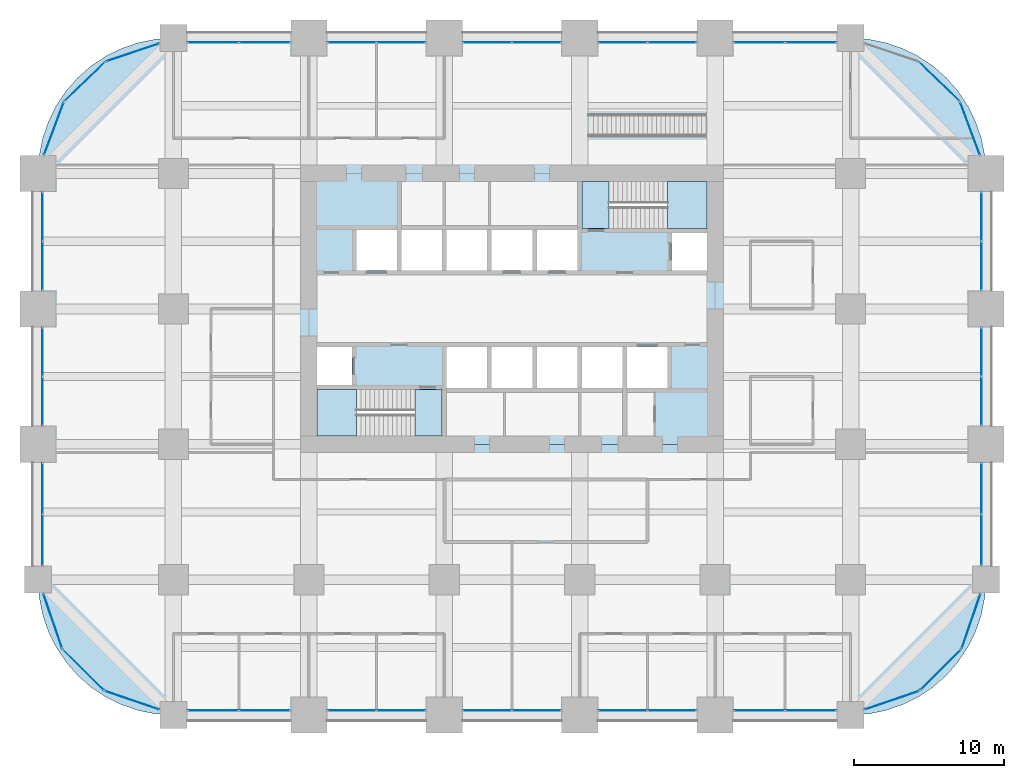
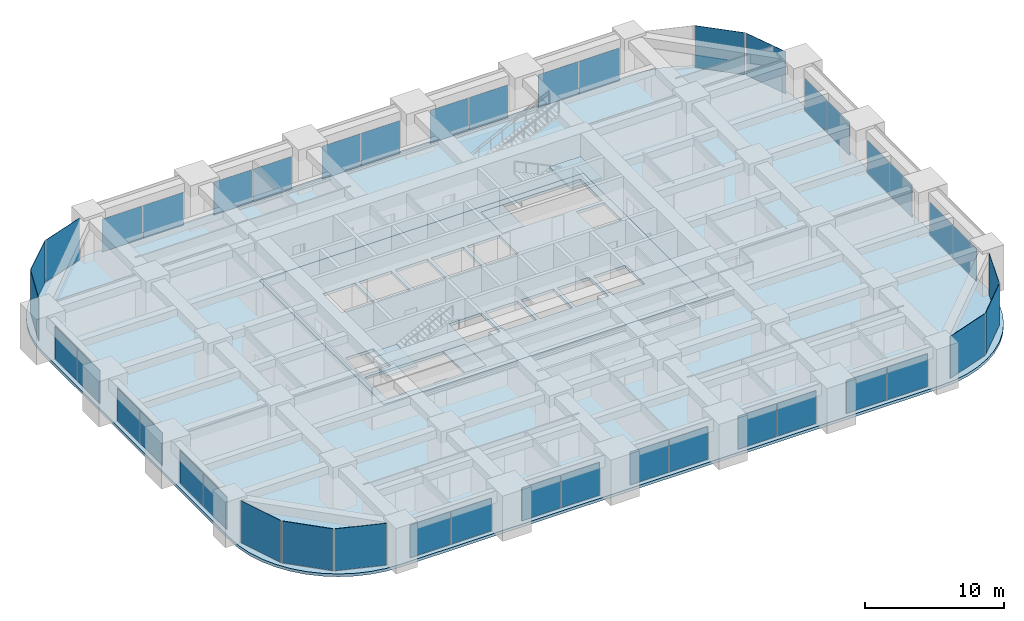
# One storey, part 35 of 41: 43 plates, 6 slabs, 29 elements without a shape of their own.
"""IFC4 building model written with IfcOpenShell, lengths in metres."""

from ifc_helpers import new_model, si_unit, direction, frame, origin, origin_2d, place, context, subcontext, project, spatial, polyline, rectangle, outline, extrude, material, layer, layer_set, type_object, element, aggregate, save


model = new_model("IFC4")

# Units and contexts
model_context = context("Model", 3, precision=1e-05, world=origin(), true_north=direction((0.0, 1.0)))
body_context = subcontext(model_context, "Body", "Model", "MODEL_VIEW")
ifc_project = project(units=[si_unit("LENGTHUNIT", "METRE"), si_unit("AREAUNIT", "SQUARE_METRE"), si_unit("VOLUMEUNIT", "CUBIC_METRE"), si_unit("PLANEANGLEUNIT", "RADIAN"), si_unit("MASSUNIT", "GRAM", prefix="KILO")], contexts=[model_context])

# Site, building, storey
site_placement = place(None, origin())
site = spatial("IfcSite", under=ifc_project, at=site_placement, CompositionType="ELEMENT")
building_placement = place(site_placement, origin())
building = spatial("IfcBuilding", under=site, at=building_placement, Name="Zorevar Civic Tower", CompositionType="ELEMENT")
storey_placement = place(building_placement, frame((0.0, 0.0, 97.0)))
storey = spatial("IfcBuildingStorey", under=building, at=storey_placement, Name="L23", CompositionType="ELEMENT", Elevation=97.0)

# Curtain wall, plates
ifc_material_1 = material(Name="Dark grey solar-control glass in black aluminium frame", Category="aluminium")
curtain_wall_type = type_object("IfcCurtainWallType", Name="Curtain wall CW3 mid zone", PredefinedType="NOTDEFINED", material=ifc_material_1)
curtain_wall_1_placement = place(storey_placement, origin())
curtain_wall_1 = element("IfcCurtainWall", 1, at=curtain_wall_1_placement, inside=storey, type_object=curtain_wall_type, Name="CW3 L23", PredefinedType="NOTDEFINED")
ifc_material_2 = material(Name="Dark grey solar-control glass", Category="glass")
ifc_layer_1 = layer(ifc_material_2, 0.030029296875)
ifc_layer_set_1 = layer_set([ifc_layer_1], Name="CW3 panel 30")
plate_type = type_object("IfcPlateType", Name="CW3 panel 30", PredefinedType="CURTAIN_PANEL", material=ifc_layer_set_1)
plate_1_placement = place(storey_placement, frame((11.639892578125, 0.300048828125, 0.06005859375), z_axis=(0.0, 0.0, 1.0), x_axis=(1.0, 0.0, 0.0)))
plate_1 = element("IfcPlate", 2, at=plate_1_placement, type_object=plate_type, Name="CW3 panel 1.1", PredefinedType="CURTAIN_PANEL", context=body_context, shape_type="SweptSolid", body=[
    extrude(rectangle(XDim=3.360107421875, YDim=0.030029296875, at=origin_2d()), origin(), (0.0, 0.0, 1.0), 2.889892578125),
])
plate_2_placement = place(storey_placement, frame((15.06005859375, 0.300048828125, 0.06005859375), z_axis=(0.0, 0.0, 1.0), x_axis=(1.0, 0.0, 0.0)))
plate_2 = element("IfcPlate", 3, at=plate_2_placement, type_object=plate_type, Name="CW3 panel 2.1", PredefinedType="CURTAIN_PANEL", context=body_context, shape_type="SweptSolid", body=[
    extrude(rectangle(XDim=3.360107421875, YDim=0.030029296875, at=origin_2d()), origin(), (0.0, 0.0, 1.0), 2.889892578125),
])
aggregate(curtain_wall_1, [plate_1, plate_2])

curtain_wall_2_placement = place(storey_placement, origin())
curtain_wall_2 = element("IfcCurtainWall", 4, at=curtain_wall_2_placement, inside=storey, type_object=curtain_wall_type, Name="CW3 L23", PredefinedType="NOTDEFINED")
plate_3_placement = place(storey_placement, frame((11.639892578125, 44.699951171875, 0.06005859375), z_axis=(0.0, 0.0, 1.0), x_axis=(1.0, 0.0, 0.0)))
plate_3 = element("IfcPlate", 5, at=plate_3_placement, type_object=plate_type, Name="CW3 panel 1.1", PredefinedType="CURTAIN_PANEL", context=body_context, shape_type="SweptSolid", body=[
    extrude(rectangle(XDim=3.360107421875, YDim=0.030029296875, at=origin_2d()), origin(), (0.0, 0.0, 1.0), 2.889892578125),
])
plate_4_placement = place(storey_placement, frame((15.06005859375, 44.699951171875, 0.06005859375), z_axis=(0.0, 0.0, 1.0), x_axis=(1.0, 0.0, 0.0)))
plate_4 = element("IfcPlate", 6, at=plate_4_placement, type_object=plate_type, Name="CW3 panel 2.1", PredefinedType="CURTAIN_PANEL", context=body_context, shape_type="SweptSolid", body=[
    extrude(rectangle(XDim=3.360107421875, YDim=0.030029296875, at=origin_2d()), origin(), (0.0, 0.0, 1.0), 2.889892578125),
])
aggregate(curtain_wall_2, [plate_3, plate_4])

curtain_wall_3_placement = place(storey_placement, origin())
curtain_wall_3 = element("IfcCurtainWall", 7, at=curtain_wall_3_placement, inside=storey, type_object=curtain_wall_type, Name="CW3 L23", PredefinedType="NOTDEFINED")
plate_5_placement = place(storey_placement, frame((20.864990234375, 0.300048828125, 0.06005859375), z_axis=(0.0, 0.0, 1.0), x_axis=(1.0, 0.0, 0.0)))
plate_5 = element("IfcPlate", 8, at=plate_5_placement, type_object=plate_type, Name="CW3 panel 1.1", PredefinedType="CURTAIN_PANEL", context=body_context, shape_type="SweptSolid", body=[
    extrude(rectangle(XDim=3.2099609375, YDim=0.030029296875, at=origin_2d()), origin(), (0.0, 0.0, 1.0), 2.889892578125),
])
plate_6_placement = place(storey_placement, frame((24.135009765625, 0.300048828125, 0.06005859375), z_axis=(0.0, 0.0, 1.0), x_axis=(1.0, 0.0, 0.0)))
plate_6 = element("IfcPlate", 9, at=plate_6_placement, type_object=plate_type, Name="CW3 panel 2.1", PredefinedType="CURTAIN_PANEL", context=body_context, shape_type="SweptSolid", body=[
    extrude(rectangle(XDim=3.2099609375, YDim=0.030029296875, at=origin_2d()), origin(), (0.0, 0.0, 1.0), 2.889892578125),
])
aggregate(curtain_wall_3, [plate_5, plate_6])

curtain_wall_4_placement = place(storey_placement, origin())
curtain_wall_4 = element("IfcCurtainWall", 10, at=curtain_wall_4_placement, inside=storey, type_object=curtain_wall_type, Name="CW3 L23", PredefinedType="NOTDEFINED")
plate_7_placement = place(storey_placement, frame((20.864990234375, 44.699951171875, 0.06005859375), z_axis=(0.0, 0.0, 1.0), x_axis=(1.0, 0.0, 0.0)))
plate_7 = element("IfcPlate", 11, at=plate_7_placement, type_object=plate_type, Name="CW3 panel 1.1", PredefinedType="CURTAIN_PANEL", context=body_context, shape_type="SweptSolid", body=[
    extrude(rectangle(XDim=3.2099609375, YDim=0.030029296875, at=origin_2d()), origin(), (0.0, 0.0, 1.0), 2.889892578125),
])
plate_8_placement = place(storey_placement, frame((24.135009765625, 44.699951171875, 0.06005859375), z_axis=(0.0, 0.0, 1.0), x_axis=(1.0, 0.0, 0.0)))
plate_8 = element("IfcPlate", 12, at=plate_8_placement, type_object=plate_type, Name="CW3 panel 2.1", PredefinedType="CURTAIN_PANEL", context=body_context, shape_type="SweptSolid", body=[
    extrude(rectangle(XDim=3.2099609375, YDim=0.030029296875, at=origin_2d()), origin(), (0.0, 0.0, 1.0), 2.889892578125),
])
aggregate(curtain_wall_4, [plate_7, plate_8])

curtain_wall_5_placement = place(storey_placement, origin())
curtain_wall_5 = element("IfcCurtainWall", 13, at=curtain_wall_5_placement, inside=storey, type_object=curtain_wall_type, Name="CW3 L23", PredefinedType="NOTDEFINED")
plate_9_placement = place(storey_placement, frame((29.864990234375, 0.300048828125, 0.06005859375), z_axis=(0.0, 0.0, 1.0), x_axis=(1.0, 0.0, 0.0)))
plate_9 = element("IfcPlate", 14, at=plate_9_placement, type_object=plate_type, Name="CW3 panel 1.1", PredefinedType="CURTAIN_PANEL", context=body_context, shape_type="SweptSolid", body=[
    extrude(rectangle(XDim=3.2099609375, YDim=0.030029296875, at=origin_2d()), origin(), (0.0, 0.0, 1.0), 2.889892578125),
])
plate_10_placement = place(storey_placement, frame((33.135009765625, 0.300048828125, 0.06005859375), z_axis=(0.0, 0.0, 1.0), x_axis=(1.0, 0.0, 0.0)))
plate_10 = element("IfcPlate", 15, at=plate_10_placement, type_object=plate_type, Name="CW3 panel 2.1", PredefinedType="CURTAIN_PANEL", context=body_context, shape_type="SweptSolid", body=[
    extrude(rectangle(XDim=3.2099609375, YDim=0.030029296875, at=origin_2d()), origin(), (0.0, 0.0, 1.0), 2.889892578125),
])
aggregate(curtain_wall_5, [plate_9, plate_10])

curtain_wall_6_placement = place(storey_placement, origin())
curtain_wall_6 = element("IfcCurtainWall", 16, at=curtain_wall_6_placement, inside=storey, type_object=curtain_wall_type, Name="CW3 L23", PredefinedType="NOTDEFINED")
plate_11_placement = place(storey_placement, frame((29.864990234375, 44.699951171875, 0.06005859375), z_axis=(0.0, 0.0, 1.0), x_axis=(1.0, 0.0, 0.0)))
plate_11 = element("IfcPlate", 17, at=plate_11_placement, type_object=plate_type, Name="CW3 panel 1.1", PredefinedType="CURTAIN_PANEL", context=body_context, shape_type="SweptSolid", body=[
    extrude(rectangle(XDim=3.2099609375, YDim=0.030029296875, at=origin_2d()), origin(), (0.0, 0.0, 1.0), 2.889892578125),
])
plate_12_placement = place(storey_placement, frame((33.135009765625, 44.699951171875, 0.06005859375), z_axis=(0.0, 0.0, 1.0), x_axis=(1.0, 0.0, 0.0)))
plate_12 = element("IfcPlate", 18, at=plate_12_placement, type_object=plate_type, Name="CW3 panel 2.1", PredefinedType="CURTAIN_PANEL", context=body_context, shape_type="SweptSolid", body=[
    extrude(rectangle(XDim=3.2099609375, YDim=0.030029296875, at=origin_2d()), origin(), (0.0, 0.0, 1.0), 2.889892578125),
])
aggregate(curtain_wall_6, [plate_11, plate_12])

curtain_wall_7_placement = place(storey_placement, origin())
curtain_wall_7 = element("IfcCurtainWall", 19, at=curtain_wall_7_placement, inside=storey, type_object=curtain_wall_type, Name="CW3 L23", PredefinedType="NOTDEFINED")
plate_13_placement = place(storey_placement, frame((38.864990234375, 0.300048828125, 0.06005859375), z_axis=(0.0, 0.0, 1.0), x_axis=(1.0, 0.0, 0.0)))
plate_13 = element("IfcPlate", 20, at=plate_13_placement, type_object=plate_type, Name="CW3 panel 1.1", PredefinedType="CURTAIN_PANEL", context=body_context, shape_type="SweptSolid", body=[
    extrude(rectangle(XDim=3.2099609375, YDim=0.030029296875, at=origin_2d()), origin(), (0.0, 0.0, 1.0), 2.889892578125),
])
plate_14_placement = place(storey_placement, frame((42.135009765625, 0.300048828125, 0.06005859375), z_axis=(0.0, 0.0, 1.0), x_axis=(1.0, 0.0, 0.0)))
plate_14 = element("IfcPlate", 21, at=plate_14_placement, type_object=plate_type, Name="CW3 panel 2.1", PredefinedType="CURTAIN_PANEL", context=body_context, shape_type="SweptSolid", body=[
    extrude(rectangle(XDim=3.2099609375, YDim=0.030029296875, at=origin_2d()), origin(), (0.0, 0.0, 1.0), 2.889892578125),
])
aggregate(curtain_wall_7, [plate_13, plate_14])

curtain_wall_8_placement = place(storey_placement, origin())
curtain_wall_8 = element("IfcCurtainWall", 22, at=curtain_wall_8_placement, inside=storey, type_object=curtain_wall_type, Name="CW3 L23", PredefinedType="NOTDEFINED")
plate_15_placement = place(storey_placement, frame((38.864990234375, 44.699951171875, 0.06005859375), z_axis=(0.0, 0.0, 1.0), x_axis=(1.0, 0.0, 0.0)))
plate_15 = element("IfcPlate", 23, at=plate_15_placement, type_object=plate_type, Name="CW3 panel 1.1", PredefinedType="CURTAIN_PANEL", context=body_context, shape_type="SweptSolid", body=[
    extrude(rectangle(XDim=3.2099609375, YDim=0.030029296875, at=origin_2d()), origin(), (0.0, 0.0, 1.0), 2.889892578125),
])
plate_16_placement = place(storey_placement, frame((42.135009765625, 44.699951171875, 0.06005859375), z_axis=(0.0, 0.0, 1.0), x_axis=(1.0, 0.0, 0.0)))
plate_16 = element("IfcPlate", 24, at=plate_16_placement, type_object=plate_type, Name="CW3 panel 2.1", PredefinedType="CURTAIN_PANEL", context=body_context, shape_type="SweptSolid", body=[
    extrude(rectangle(XDim=3.2099609375, YDim=0.030029296875, at=origin_2d()), origin(), (0.0, 0.0, 1.0), 2.889892578125),
])
aggregate(curtain_wall_8, [plate_15, plate_16])

curtain_wall_9_placement = place(storey_placement, origin())
curtain_wall_9 = element("IfcCurtainWall", 25, at=curtain_wall_9_placement, inside=storey, type_object=curtain_wall_type, Name="CW3 L23", PredefinedType="NOTDEFINED")
plate_17_placement = place(storey_placement, frame((47.93994140625, 0.300048828125, 0.06005859375), z_axis=(0.0, 0.0, 1.0), x_axis=(1.0, 0.0, 0.0)))
plate_17 = element("IfcPlate", 26, at=plate_17_placement, type_object=plate_type, Name="CW3 panel 1.1", PredefinedType="CURTAIN_PANEL", context=body_context, shape_type="SweptSolid", body=[
    extrude(rectangle(XDim=3.360107421875, YDim=0.030029296875, at=origin_2d()), origin(), (0.0, 0.0, 1.0), 2.889892578125),
])
plate_18_placement = place(storey_placement, frame((51.360107421875, 0.300048828125, 0.06005859375), z_axis=(0.0, 0.0, 1.0), x_axis=(1.0, 0.0, 0.0)))
plate_18 = element("IfcPlate", 27, at=plate_18_placement, type_object=plate_type, Name="CW3 panel 2.1", PredefinedType="CURTAIN_PANEL", context=body_context, shape_type="SweptSolid", body=[
    extrude(rectangle(XDim=3.360107421875, YDim=0.030029296875, at=origin_2d()), origin(), (0.0, 0.0, 1.0), 2.889892578125),
])
aggregate(curtain_wall_9, [plate_17, plate_18])

curtain_wall_10_placement = place(storey_placement, origin())
curtain_wall_10 = element("IfcCurtainWall", 28, at=curtain_wall_10_placement, inside=storey, type_object=curtain_wall_type, Name="CW3 L23", PredefinedType="NOTDEFINED")
plate_19_placement = place(storey_placement, frame((47.93994140625, 44.699951171875, 0.06005859375), z_axis=(0.0, 0.0, 1.0), x_axis=(1.0, 0.0, 0.0)))
plate_19 = element("IfcPlate", 29, at=plate_19_placement, type_object=plate_type, Name="CW3 panel 1.1", PredefinedType="CURTAIN_PANEL", context=body_context, shape_type="SweptSolid", body=[
    extrude(rectangle(XDim=3.360107421875, YDim=0.030029296875, at=origin_2d()), origin(), (0.0, 0.0, 1.0), 2.889892578125),
])
plate_20_placement = place(storey_placement, frame((51.360107421875, 44.699951171875, 0.06005859375), z_axis=(0.0, 0.0, 1.0), x_axis=(1.0, 0.0, 0.0)))
plate_20 = element("IfcPlate", 30, at=plate_20_placement, type_object=plate_type, Name="CW3 panel 2.1", PredefinedType="CURTAIN_PANEL", context=body_context, shape_type="SweptSolid", body=[
    extrude(rectangle(XDim=3.360107421875, YDim=0.030029296875, at=origin_2d()), origin(), (0.0, 0.0, 1.0), 2.889892578125),
])
aggregate(curtain_wall_10, [plate_19, plate_20])

curtain_wall_11_placement = place(storey_placement, origin())
curtain_wall_11 = element("IfcCurtainWall", 31, at=curtain_wall_11_placement, inside=storey, type_object=curtain_wall_type, Name="CW3 L23", PredefinedType="NOTDEFINED")
plate_21_placement = place(storey_placement, frame((0.300048828125, 11.639892578125, 0.06005859375), z_axis=(0.0, 0.0, 1.0), x_axis=(0.0, 1.0, 0.0)))
plate_21 = element("IfcPlate", 32, at=plate_21_placement, type_object=plate_type, Name="CW3 panel 1.1", PredefinedType="CURTAIN_PANEL", context=body_context, shape_type="SweptSolid", body=[
    extrude(rectangle(XDim=3.360107421875, YDim=0.030029296875, at=origin_2d()), origin(), (0.0, 0.0, 1.0), 2.889892578125),
])
plate_22_placement = place(storey_placement, frame((0.300048828125, 15.06005859375, 0.06005859375), z_axis=(0.0, 0.0, 1.0), x_axis=(0.0, 1.0, 0.0)))
plate_22 = element("IfcPlate", 33, at=plate_22_placement, type_object=plate_type, Name="CW3 panel 2.1", PredefinedType="CURTAIN_PANEL", context=body_context, shape_type="SweptSolid", body=[
    extrude(rectangle(XDim=3.360107421875, YDim=0.030029296875, at=origin_2d()), origin(), (0.0, 0.0, 1.0), 2.889892578125),
])
aggregate(curtain_wall_11, [plate_21, plate_22])

curtain_wall_12_placement = place(storey_placement, origin())
curtain_wall_12 = element("IfcCurtainWall", 34, at=curtain_wall_12_placement, inside=storey, type_object=curtain_wall_type, Name="CW3 L23", PredefinedType="NOTDEFINED")
plate_23_placement = place(storey_placement, frame((62.699951171875, 11.639892578125, 0.06005859375), z_axis=(0.0, 0.0, 1.0), x_axis=(0.0, 1.0, 0.0)))
plate_23 = element("IfcPlate", 35, at=plate_23_placement, type_object=plate_type, Name="CW3 panel 1.1", PredefinedType="CURTAIN_PANEL", context=body_context, shape_type="SweptSolid", body=[
    extrude(rectangle(XDim=3.360107421875, YDim=0.030029296875, at=origin_2d()), origin(), (0.0, 0.0, 1.0), 2.889892578125),
])
plate_24_placement = place(storey_placement, frame((62.699951171875, 15.06005859375, 0.06005859375), z_axis=(0.0, 0.0, 1.0), x_axis=(0.0, 1.0, 0.0)))
plate_24 = element("IfcPlate", 36, at=plate_24_placement, type_object=plate_type, Name="CW3 panel 2.1", PredefinedType="CURTAIN_PANEL", context=body_context, shape_type="SweptSolid", body=[
    extrude(rectangle(XDim=3.360107421875, YDim=0.030029296875, at=origin_2d()), origin(), (0.0, 0.0, 1.0), 2.889892578125),
])
aggregate(curtain_wall_12, [plate_23, plate_24])

curtain_wall_13_placement = place(storey_placement, origin())
curtain_wall_13 = element("IfcCurtainWall", 37, at=curtain_wall_13_placement, inside=storey, type_object=curtain_wall_type, Name="CW3 L23", PredefinedType="NOTDEFINED")
plate_25_placement = place(storey_placement, frame((0.300048828125, 20.864990234375, 0.06005859375), z_axis=(0.0, 0.0, 1.0), x_axis=(0.0, 1.0, 0.0)))
plate_25 = element("IfcPlate", 38, at=plate_25_placement, type_object=plate_type, Name="CW3 panel 1.1", PredefinedType="CURTAIN_PANEL", context=body_context, shape_type="SweptSolid", body=[
    extrude(rectangle(XDim=3.2099609375, YDim=0.030029296875, at=origin_2d()), origin(), (0.0, 0.0, 1.0), 2.889892578125),
])
plate_26_placement = place(storey_placement, frame((0.300048828125, 24.135009765625, 0.06005859375), z_axis=(0.0, 0.0, 1.0), x_axis=(0.0, 1.0, 0.0)))
plate_26 = element("IfcPlate", 39, at=plate_26_placement, type_object=plate_type, Name="CW3 panel 2.1", PredefinedType="CURTAIN_PANEL", context=body_context, shape_type="SweptSolid", body=[
    extrude(rectangle(XDim=3.2099609375, YDim=0.030029296875, at=origin_2d()), origin(), (0.0, 0.0, 1.0), 2.889892578125),
])
aggregate(curtain_wall_13, [plate_25, plate_26])

curtain_wall_14_placement = place(storey_placement, origin())
curtain_wall_14 = element("IfcCurtainWall", 40, at=curtain_wall_14_placement, inside=storey, type_object=curtain_wall_type, Name="CW3 L23", PredefinedType="NOTDEFINED")
plate_27_placement = place(storey_placement, frame((62.699951171875, 20.864990234375, 0.06005859375), z_axis=(0.0, 0.0, 1.0), x_axis=(0.0, 1.0, 0.0)))
plate_27 = element("IfcPlate", 41, at=plate_27_placement, type_object=plate_type, Name="CW3 panel 1.1", PredefinedType="CURTAIN_PANEL", context=body_context, shape_type="SweptSolid", body=[
    extrude(rectangle(XDim=3.2099609375, YDim=0.030029296875, at=origin_2d()), origin(), (0.0, 0.0, 1.0), 2.889892578125),
])
plate_28_placement = place(storey_placement, frame((62.699951171875, 24.135009765625, 0.06005859375), z_axis=(0.0, 0.0, 1.0), x_axis=(0.0, 1.0, 0.0)))
plate_28 = element("IfcPlate", 42, at=plate_28_placement, type_object=plate_type, Name="CW3 panel 2.1", PredefinedType="CURTAIN_PANEL", context=body_context, shape_type="SweptSolid", body=[
    extrude(rectangle(XDim=3.2099609375, YDim=0.030029296875, at=origin_2d()), origin(), (0.0, 0.0, 1.0), 2.889892578125),
])
aggregate(curtain_wall_14, [plate_27, plate_28])

curtain_wall_15_placement = place(storey_placement, origin())
curtain_wall_15 = element("IfcCurtainWall", 43, at=curtain_wall_15_placement, inside=storey, type_object=curtain_wall_type, Name="CW3 L23", PredefinedType="NOTDEFINED")
plate_29_placement = place(storey_placement, frame((0.300048828125, 29.864990234375, 0.06005859375), z_axis=(0.0, 0.0, 1.0), x_axis=(0.0, 1.0, 0.0)))
plate_29 = element("IfcPlate", 44, at=plate_29_placement, type_object=plate_type, Name="CW3 panel 1.1", PredefinedType="CURTAIN_PANEL", context=body_context, shape_type="SweptSolid", body=[
    extrude(rectangle(XDim=3.2099609375, YDim=0.030029296875, at=origin_2d()), origin(), (0.0, 0.0, 1.0), 2.889892578125),
])
plate_30_placement = place(storey_placement, frame((0.300048828125, 33.135009765625, 0.06005859375), z_axis=(0.0, 0.0, 1.0), x_axis=(0.0, 1.0, 0.0)))
plate_30 = element("IfcPlate", 45, at=plate_30_placement, type_object=plate_type, Name="CW3 panel 2.1", PredefinedType="CURTAIN_PANEL", context=body_context, shape_type="SweptSolid", body=[
    extrude(rectangle(XDim=3.2099609375, YDim=0.030029296875, at=origin_2d()), origin(), (0.0, 0.0, 1.0), 2.889892578125),
])
aggregate(curtain_wall_15, [plate_29, plate_30])

curtain_wall_16_placement = place(storey_placement, origin())
curtain_wall_16 = element("IfcCurtainWall", 46, at=curtain_wall_16_placement, inside=storey, type_object=curtain_wall_type, Name="CW3 L23", PredefinedType="NOTDEFINED")
plate_31_placement = place(storey_placement, frame((62.699951171875, 29.864990234375, 0.06005859375), z_axis=(0.0, 0.0, 1.0), x_axis=(0.0, 1.0, 0.0)))
plate_31 = element("IfcPlate", 47, at=plate_31_placement, type_object=plate_type, Name="CW3 panel 1.1", PredefinedType="CURTAIN_PANEL", context=body_context, shape_type="SweptSolid", body=[
    extrude(rectangle(XDim=3.2099609375, YDim=0.030029296875, at=origin_2d()), origin(), (0.0, 0.0, 1.0), 2.889892578125),
])
plate_32_placement = place(storey_placement, frame((62.699951171875, 33.135009765625, 0.06005859375), z_axis=(0.0, 0.0, 1.0), x_axis=(0.0, 1.0, 0.0)))
plate_32 = element("IfcPlate", 48, at=plate_32_placement, type_object=plate_type, Name="CW3 panel 2.1", PredefinedType="CURTAIN_PANEL", context=body_context, shape_type="SweptSolid", body=[
    extrude(rectangle(XDim=3.2099609375, YDim=0.030029296875, at=origin_2d()), origin(), (0.0, 0.0, 1.0), 2.889892578125),
])
aggregate(curtain_wall_16, [plate_31, plate_32])

# Curtain wall, plate
curtain_wall_17_placement = place(storey_placement, origin())
curtain_wall_17 = element("IfcCurtainWall", 49, at=curtain_wall_17_placement, inside=storey, type_object=curtain_wall_type, Name="CW3 L23", PredefinedType="NOTDEFINED")
plate_33_placement = place(storey_placement, frame((56.75390625, 0.9833984375, 0.06005859375), z_axis=(0.0, 0.0, 1.0), x_axis=(0.945755772794, 0.324878466857, 0.0)))
plate_33 = element("IfcPlate", 50, at=plate_33_placement, type_object=plate_type, Name="CW3 panel 1.1", PredefinedType="CURTAIN_PANEL", context=body_context, shape_type="SweptSolid", body=[
    extrude(rectangle(XDim=3.80029296875, YDim=0.030029296875, at=origin_2d()), origin(), (0.0, 0.0, 1.0), 3.68994140625),
])
aggregate(curtain_wall_17, [plate_33])

curtain_wall_18_placement = place(storey_placement, origin())
curtain_wall_18 = element("IfcCurtainWall", 51, at=curtain_wall_18_placement, inside=storey, type_object=curtain_wall_type, Name="CW3 L23", PredefinedType="NOTDEFINED")
plate_34_placement = place(storey_placement, frame((59.99365234375, 3.00634765625, 0.06005859375), z_axis=(0.0, 0.0, 1.0), x_axis=(0.707106781187, 0.707106781187, 0.0)))
plate_34 = element("IfcPlate", 52, at=plate_34_placement, type_object=plate_type, Name="CW3 panel 1.1", PredefinedType="CURTAIN_PANEL", context=body_context, shape_type="SweptSolid", body=[
    extrude(rectangle(XDim=3.80029296875, YDim=0.030029296875, at=origin_2d()), origin(), (0.0, 0.0, 1.0), 3.68994140625),
])
aggregate(curtain_wall_18, [plate_34])

curtain_wall_19_placement = place(storey_placement, origin())
curtain_wall_19 = element("IfcCurtainWall", 53, at=curtain_wall_19_placement, inside=storey, type_object=curtain_wall_type, Name="CW3 L23", PredefinedType="NOTDEFINED")
plate_35_placement = place(storey_placement, frame((62.0166015625, 6.24609375, 0.06005859375), z_axis=(0.0, 0.0, 1.0), x_axis=(0.324878466857, 0.945755772794, 0.0)))
plate_35 = element("IfcPlate", 54, at=plate_35_placement, type_object=plate_type, Name="CW3 panel 1.1", PredefinedType="CURTAIN_PANEL", context=body_context, shape_type="SweptSolid", body=[
    extrude(rectangle(XDim=3.80029296875, YDim=0.030029296875, at=origin_2d()), origin(), (0.0, 0.0, 1.0), 3.68994140625),
])
aggregate(curtain_wall_19, [plate_35])

curtain_wall_20_placement = place(storey_placement, origin())
curtain_wall_20 = element("IfcCurtainWall", 55, at=curtain_wall_20_placement, inside=storey, type_object=curtain_wall_type, Name="CW3 L23", PredefinedType="NOTDEFINED")
plate_36_placement = place(storey_placement, frame((61.94384765625, 38.988525390625, 0.06005859375), z_axis=(0.0, 0.0, 1.0), x_axis=(-0.352131520999, 0.935950528564, 0.0)))
plate_36 = element("IfcPlate", 56, at=plate_36_placement, type_object=plate_type, Name="CW3 panel 1.1", PredefinedType="CURTAIN_PANEL", context=body_context, shape_type="SweptSolid", body=[
    extrude(rectangle(XDim=3.7021484375, YDim=0.030029296875, at=origin_2d()), origin(), (0.0, 0.0, 1.0), 3.68994140625),
])
aggregate(curtain_wall_20, [plate_36])

curtain_wall_21_placement = place(storey_placement, origin())
curtain_wall_21 = element("IfcCurtainWall", 57, at=curtain_wall_21_placement, inside=storey, type_object=curtain_wall_type, Name="CW3 L23", PredefinedType="NOTDEFINED")
plate_37_placement = place(storey_placement, frame((59.896484375, 42.10498046875, 0.06005859375), z_axis=(0.0, 0.0, 1.0), x_axis=(-0.719281160023, 0.694719089155, 0.0)))
plate_37 = element("IfcPlate", 58, at=plate_37_placement, type_object=plate_type, Name="CW3 panel 1.1", PredefinedType="CURTAIN_PANEL", context=body_context, shape_type="SweptSolid", body=[
    extrude(rectangle(XDim=3.7021484375, YDim=0.030029296875, at=origin_2d()), origin(), (0.0, 0.0, 1.0), 3.68994140625),
])
aggregate(curtain_wall_21, [plate_37])

curtain_wall_22_placement = place(storey_placement, origin())
curtain_wall_22 = element("IfcCurtainWall", 59, at=curtain_wall_22_placement, inside=storey, type_object=curtain_wall_type, Name="CW3 L23", PredefinedType="NOTDEFINED")
plate_38_placement = place(storey_placement, frame((6.2890625, 44.04296875, 0.06005859375), z_axis=(0.0, 0.0, 1.0), x_axis=(-0.947615765406, -0.319412525043, 0.0)))
plate_38 = element("IfcPlate", 60, at=plate_38_placement, type_object=plate_type, Name="CW3 panel 1.1", PredefinedType="CURTAIN_PANEL", context=body_context, shape_type="SweptSolid", body=[
    extrude(rectangle(XDim=3.7021484375, YDim=0.030029296875, at=origin_2d()), origin(), (0.0, 0.0, 1.0), 3.68994140625),
])
aggregate(curtain_wall_22, [plate_38])

curtain_wall_23_placement = place(storey_placement, origin())
curtain_wall_23 = element("IfcCurtainWall", 61, at=curtain_wall_23_placement, inside=storey, type_object=curtain_wall_type, Name="CW3 L23", PredefinedType="NOTDEFINED")
plate_39_placement = place(storey_placement, frame((3.103515625, 42.10498046875, 0.06005859375), z_axis=(0.0, 0.0, 1.0), x_axis=(-0.719281160023, -0.694719089155, 0.0)))
plate_39 = element("IfcPlate", 62, at=plate_39_placement, type_object=plate_type, Name="CW3 panel 1.1", PredefinedType="CURTAIN_PANEL", context=body_context, shape_type="SweptSolid", body=[
    extrude(rectangle(XDim=3.7021484375, YDim=0.030029296875, at=origin_2d()), origin(), (0.0, 0.0, 1.0), 3.68994140625),
])
aggregate(curtain_wall_23, [plate_39])

curtain_wall_24_placement = place(storey_placement, origin())
curtain_wall_24 = element("IfcCurtainWall", 63, at=curtain_wall_24_placement, inside=storey, type_object=curtain_wall_type, Name="CW3 L23", PredefinedType="NOTDEFINED")
plate_40_placement = place(storey_placement, frame((1.05615234375, 38.988525390625, 0.06005859375), z_axis=(0.0, 0.0, 1.0), x_axis=(-0.352131520999, -0.935950528564, 0.0)))
plate_40 = element("IfcPlate", 64, at=plate_40_placement, type_object=plate_type, Name="CW3 panel 1.1", PredefinedType="CURTAIN_PANEL", context=body_context, shape_type="SweptSolid", body=[
    extrude(rectangle(XDim=3.7021484375, YDim=0.030029296875, at=origin_2d()), origin(), (0.0, 0.0, 1.0), 3.68994140625),
])
aggregate(curtain_wall_24, [plate_40])

curtain_wall_25_placement = place(storey_placement, origin())
curtain_wall_25 = element("IfcCurtainWall", 65, at=curtain_wall_25_placement, inside=storey, type_object=curtain_wall_type, Name="CW3 L23", PredefinedType="NOTDEFINED")
plate_41_placement = place(storey_placement, frame((0.9833984375, 6.24609375, 0.06005859375), z_axis=(0.0, 0.0, 1.0), x_axis=(0.324878466857, -0.945755772794, 0.0)))
plate_41 = element("IfcPlate", 66, at=plate_41_placement, type_object=plate_type, Name="CW3 panel 1.1", PredefinedType="CURTAIN_PANEL", context=body_context, shape_type="SweptSolid", body=[
    extrude(rectangle(XDim=3.80029296875, YDim=0.030029296875, at=origin_2d()), origin(), (0.0, 0.0, 1.0), 3.68994140625),
])
aggregate(curtain_wall_25, [plate_41])

curtain_wall_26_placement = place(storey_placement, origin())
curtain_wall_26 = element("IfcCurtainWall", 67, at=curtain_wall_26_placement, inside=storey, type_object=curtain_wall_type, Name="CW3 L23", PredefinedType="NOTDEFINED")
plate_42_placement = place(storey_placement, frame((3.00634765625, 3.00634765625, 0.06005859375), z_axis=(0.0, 0.0, 1.0), x_axis=(0.707106781187, -0.707106781187, 0.0)))
plate_42 = element("IfcPlate", 68, at=plate_42_placement, type_object=plate_type, Name="CW3 panel 1.1", PredefinedType="CURTAIN_PANEL", context=body_context, shape_type="SweptSolid", body=[
    extrude(rectangle(XDim=3.80029296875, YDim=0.030029296875, at=origin_2d()), origin(), (0.0, 0.0, 1.0), 3.68994140625),
])
aggregate(curtain_wall_26, [plate_42])

curtain_wall_27_placement = place(storey_placement, origin())
curtain_wall_27 = element("IfcCurtainWall", 69, at=curtain_wall_27_placement, inside=storey, type_object=curtain_wall_type, Name="CW3 L23", PredefinedType="NOTDEFINED")
plate_43_placement = place(storey_placement, frame((6.24609375, 0.9833984375, 0.06005859375), z_axis=(0.0, 0.0, 1.0), x_axis=(0.945755772794, -0.324878466857, 0.0)))
plate_43 = element("IfcPlate", 70, at=plate_43_placement, type_object=plate_type, Name="CW3 panel 1.1", PredefinedType="CURTAIN_PANEL", context=body_context, shape_type="SweptSolid", body=[
    extrude(rectangle(XDim=3.80029296875, YDim=0.030029296875, at=origin_2d()), origin(), (0.0, 0.0, 1.0), 3.68994140625),
])
aggregate(curtain_wall_27, [plate_43])

# Slabs
ifc_material_3 = material(Name="Concrete C40/50", Category="concrete")
ifc_layer_2 = layer(ifc_material_3, 0.25)
ifc_layer_set_2 = layer_set([ifc_layer_2], Name="Floor slab 250")
slab_type_1 = type_object("IfcSlabType", Name="Floor slab 250", PredefinedType="FLOOR", material=ifc_layer_set_2)
slab_1_placement = place(storey_placement, frame((0.0, 0.0, -0.25)))
element("IfcSlab", 71, at=slab_1_placement, inside=storey, type_object=slab_type_1, Name="Floor slab L23", PredefinedType="FLOOR", context=body_context, shape_type="SweptSolid", body=[
    extrude(outline(polyline([(54.0, 0.0), (55.1748046875, 0.076904296875), (56.329345703125, 0.306640625), (57.444091796875, 0.68505859375), (58.5, 1.205810546875), (59.478759765625, 1.85986328125), (60.364013671875, 2.635986328125), (61.14013671875, 3.521240234375), (61.794189453125, 4.5), (62.31494140625, 5.555908203125), (62.693359375, 6.670654296875), (62.923095703125, 7.8251953125), (63.0, 9.0), (63.0, 36.0), (62.923095703125, 37.1748046875), (62.693359375, 38.329345703125), (62.31494140625, 39.444091796875), (61.794189453125, 40.5), (61.14013671875, 41.478759765625), (60.364013671875, 42.364013671875), (59.478759765625, 43.14013671875), (58.5, 43.794189453125), (57.444091796875, 44.31494140625), (56.329345703125, 44.693359375), (55.1748046875, 44.923095703125), (54.0, 45.0), (9.0, 45.0), (7.8251953125, 44.923095703125), (6.670654296875, 44.693359375), (5.555908203125, 44.31494140625), (4.5, 43.794189453125), (3.521240234375, 43.14013671875), (2.635986328125, 42.364013671875), (1.85986328125, 41.478759765625), (1.205810546875, 40.5), (0.68505859375, 39.444091796875), (0.306640625, 38.329345703125), (0.076904296875, 37.1748046875), (0.0, 36.0), (0.0, 9.0), (0.076904296875, 7.8251953125), (0.306640625, 6.670654296875), (0.68505859375, 5.555908203125), (1.205810546875, 4.5), (1.85986328125, 3.521240234375), (2.635986328125, 2.635986328125), (3.521240234375, 1.85986328125), (4.5, 1.205810546875), (5.555908203125, 0.68505859375), (6.670654296875, 0.306640625), (7.8251953125, 0.076904296875), (9.0, 0.0), (54.0, 0.0)]), holes=[polyline([(18.0, 18.0), (45.0, 18.0), (45.0, 36.0), (18.0, 36.0), (18.0, 18.0)])]), origin(), (0.0, 0.0, 1.0), 0.25),
])
slab_2_placement = place(storey_placement, frame((0.0, 0.0, -0.25)))
element("IfcSlab", 72, at=slab_2_placement, inside=storey, type_object=slab_type_1, Name="Core floor L23", PredefinedType="FLOOR", context=body_context, shape_type="SweptSolid", body=[
    extrude(outline(polyline([(18.0, 18.0), (45.0, 18.0), (45.0, 36.0), (18.0, 36.0), (18.0, 18.0)]), holes=[polyline([(18.550048828125, 18.550048828125), (26.85009765625, 18.550048828125), (26.85009765625, 21.64990234375), (18.550048828125, 21.64990234375), (18.550048828125, 18.550048828125)]), polyline([(36.14990234375, 32.35009765625), (44.449951171875, 32.35009765625), (44.449951171875, 35.449951171875), (36.14990234375, 35.449951171875), (36.14990234375, 32.35009765625)]), polyline([(18.550048828125, 21.949951171875), (20.85009765625, 21.949951171875), (20.85009765625, 24.449951171875), (18.550048828125, 24.449951171875), (18.550048828125, 21.949951171875)]), polyline([(42.14990234375, 29.550048828125), (44.449951171875, 29.550048828125), (44.449951171875, 32.050048828125), (42.14990234375, 32.050048828125), (42.14990234375, 29.550048828125)]), polyline([(27.14990234375, 21.75), (29.85009765625, 21.75), (29.85009765625, 24.449951171875), (27.14990234375, 24.449951171875), (27.14990234375, 21.75)]), polyline([(33.14990234375, 29.550048828125), (35.85009765625, 29.550048828125), (35.85009765625, 32.25), (33.14990234375, 32.25), (33.14990234375, 29.550048828125)]), polyline([(30.14990234375, 21.75), (32.85009765625, 21.75), (32.85009765625, 24.449951171875), (30.14990234375, 24.449951171875), (30.14990234375, 21.75)]), polyline([(30.14990234375, 29.550048828125), (32.85009765625, 29.550048828125), (32.85009765625, 32.25), (30.14990234375, 32.25), (30.14990234375, 29.550048828125)]), polyline([(33.14990234375, 21.75), (35.85009765625, 21.75), (35.85009765625, 24.449951171875), (33.14990234375, 24.449951171875), (33.14990234375, 21.75)]), polyline([(27.14990234375, 29.550048828125), (29.85009765625, 29.550048828125), (29.85009765625, 32.25), (27.14990234375, 32.25), (27.14990234375, 29.550048828125)]), polyline([(36.14990234375, 21.75), (38.85009765625, 21.75), (38.85009765625, 24.449951171875), (36.14990234375, 24.449951171875), (36.14990234375, 21.75)]), polyline([(24.14990234375, 29.550048828125), (26.85009765625, 29.550048828125), (26.85009765625, 32.25), (24.14990234375, 32.25), (24.14990234375, 29.550048828125)]), polyline([(39.14990234375, 21.75), (41.85009765625, 21.75), (41.85009765625, 24.449951171875), (39.14990234375, 24.449951171875), (39.14990234375, 21.75)]), polyline([(21.14990234375, 29.550048828125), (23.85009765625, 29.550048828125), (23.85009765625, 32.25), (21.14990234375, 32.25), (21.14990234375, 29.550048828125)])]), origin(), (0.0, 0.0, 1.0), 0.25),
])

# Stair, slabs
ifc_material_4 = material(Name="Precast concrete C40/50", Category="concrete")
stair_type = type_object("IfcStairType", Name="Stair ST 28R", PredefinedType="HALF_TURN_STAIR", material=ifc_material_4)
stair_1_placement = place(storey_placement, origin())
stair_1 = element("IfcStair", 73, at=stair_1_placement, inside=storey, type_object=stair_type, Name="Stair ST1 L23", PredefinedType="HALF_TURN_STAIR")
ifc_material_5 = material(Name="Concrete C40/50", Category="concrete")
ifc_layer_3 = layer(ifc_material_5, 0.199951171875)
ifc_layer_set_3 = layer_set([ifc_layer_3], Name="Stair landing 200")
slab_type_2 = type_object("IfcSlabType", Name="Stair landing 200", PredefinedType="LANDING", material=ifc_layer_set_3)
slab_3_placement = place(storey_placement, frame((0.0, 0.0, -0.199951171875)))
slab_3 = element("IfcSlab", 74, at=slab_3_placement, type_object=slab_type_2, Name="ST1 landing 1", PredefinedType="LANDING", context=body_context, shape_type="SweptSolid", body=[
    extrude(outline(polyline([(25.050048828125, 18.550048828125), (26.85009765625, 18.550048828125), (26.85009765625, 21.64990234375), (25.050048828125, 21.64990234375), (25.050048828125, 18.550048828125)])), origin(), (0.0, 0.0, 1.0), 0.199951171875),
])
slab_4_placement = place(storey_placement, frame((0.0, 0.0, 1.800048828125)))
slab_4 = element("IfcSlab", 75, at=slab_4_placement, type_object=slab_type_2, Name="ST1 landing 2", PredefinedType="LANDING", context=body_context, shape_type="SweptSolid", body=[
    extrude(outline(polyline([(18.550048828125, 18.550048828125), (21.14990234375, 18.550048828125), (21.14990234375, 21.64990234375), (18.550048828125, 21.64990234375), (18.550048828125, 18.550048828125)])), origin(), (0.0, 0.0, 1.0), 0.199951171875),
])
aggregate(stair_1, [slab_3, slab_4])

stair_2_placement = place(storey_placement, origin())
stair_2 = element("IfcStair", 76, at=stair_2_placement, inside=storey, type_object=stair_type, Name="Stair ST2 L23", PredefinedType="HALF_TURN_STAIR")
slab_5_placement = place(storey_placement, frame((0.0, 0.0, -0.199951171875)))
slab_5 = element("IfcSlab", 77, at=slab_5_placement, type_object=slab_type_2, Name="ST2 landing 1", PredefinedType="LANDING", context=body_context, shape_type="SweptSolid", body=[
    extrude(outline(polyline([(37.949951171875, 32.35009765625), (36.14990234375, 32.35009765625), (36.14990234375, 35.449951171875), (37.949951171875, 35.449951171875), (37.949951171875, 32.35009765625)])), origin(), (0.0, 0.0, 1.0), 0.199951171875),
])
slab_6_placement = place(storey_placement, frame((0.0, 0.0, 1.800048828125)))
slab_6 = element("IfcSlab", 78, at=slab_6_placement, type_object=slab_type_2, Name="ST2 landing 2", PredefinedType="LANDING", context=body_context, shape_type="SweptSolid", body=[
    extrude(outline(polyline([(44.449951171875, 32.35009765625), (41.85009765625, 32.35009765625), (41.85009765625, 35.449951171875), (44.449951171875, 35.449951171875), (44.449951171875, 32.35009765625)])), origin(), (0.0, 0.0, 1.0), 0.199951171875),
])
aggregate(stair_2, [slab_5, slab_6])

save(model, "model.ifc")
